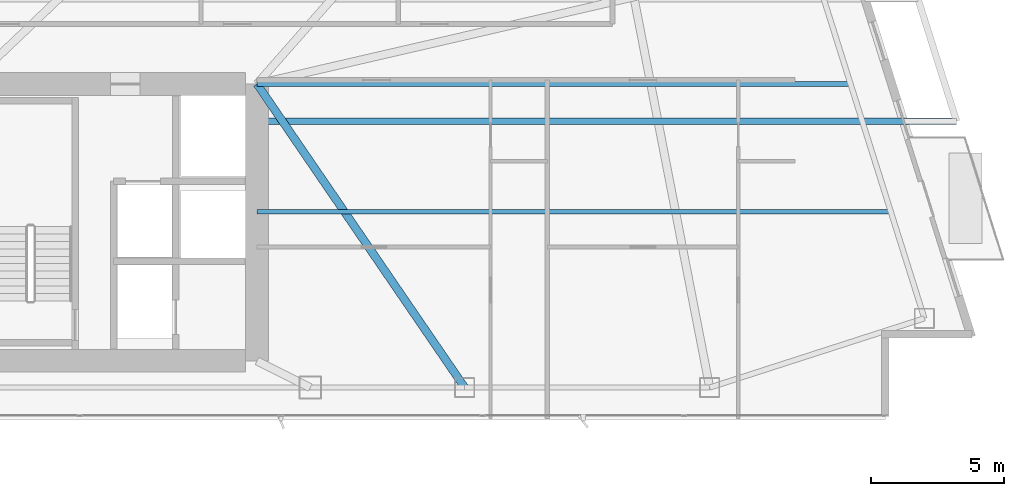
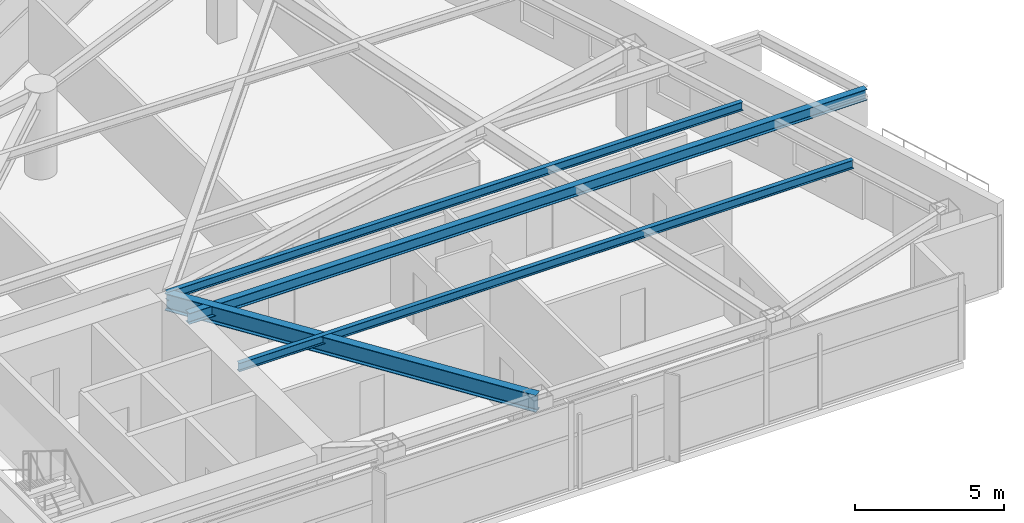
# One storey, part 13 of 28: 4 beams.
"""IFC4 building model written with IfcOpenShell, lengths in metres."""

from ifc_helpers import new_model, si_unit, direction, frame, origin, origin_2d, place, context, subcontext, project, spatial, i_section, extrude, material, material_profile, profile_set, type_object, element, save


model = new_model("IFC4")

# Units and contexts
model_context = context("Model", 3, precision=1e-05, world=origin(), true_north=direction((0.0, 1.0)))
body_context = subcontext(model_context, "Body", "Model", "MODEL_VIEW")
ifc_project = project(units=[si_unit("LENGTHUNIT", "METRE"), si_unit("AREAUNIT", "SQUARE_METRE"), si_unit("VOLUMEUNIT", "CUBIC_METRE"), si_unit("PLANEANGLEUNIT", "RADIAN"), si_unit("MASSUNIT", "GRAM", prefix="KILO")], contexts=[model_context])

# Site, building, storey
site_placement = place(None, origin())
site = spatial("IfcSite", under=ifc_project, at=site_placement, CompositionType="ELEMENT")
building_placement = place(site_placement, origin())
building = spatial("IfcBuilding", under=site, at=building_placement, Name="Calvorn Quay Hotel", CompositionType="ELEMENT")
storey_placement = place(building_placement, frame((0.0, 0.0, 101.199951171875)))
storey = spatial("IfcBuildingStorey", under=building, at=storey_placement, Name="L24", CompositionType="ELEMENT", Elevation=101.199951171875)

# Beams
ifc_material_1 = material(Name="Steel Q355B", Category="steel")
ifc_material_profile_1 = material_profile(ifc_material_1, i_section(OverallWidth=0.25, OverallDepth=0.449951171875, WebThickness=0.011962890625, FlangeThickness=0.01611328125, FilletRadius=0.01611328125, at=origin_2d()), Name="HN450x250x12x16")
ifc_profile_set_1 = profile_set([ifc_material_profile_1], Name="Steel Q355B")
beam_type_1 = type_object("IfcBeamType", Name="BM-CANT-BALC", PredefinedType="BEAM", material=ifc_profile_set_1)
beam_1_placement = place(storey_placement, frame((32.39990234375, 13.60009765625, 3.31494140625), z_axis=(1.0, 0.0, 0.0), x_axis=(0.0, 1.0, 0.0)))
element("IfcBeam", 1, at=beam_1_placement, inside=storey, type_object=beam_type_1, Name="Cantilever Balcony Beam BCB-L25-1A", PredefinedType="BEAM", context=body_context, shape_type="SweptSolid", body=[
    extrude(i_section(OverallWidth=0.25, OverallDepth=0.449951171875, WebThickness=0.011962890625, FlangeThickness=0.01611328125, FilletRadius=0.01611328125, at=origin_2d()), origin(), (0.0, 0.0, 1.0), 26.26904296875),
])
ifc_material_2 = material(Name="Steel Q390GJC", Category="steel")
ifc_material_profile_2 = material_profile(ifc_material_2, i_section(OverallWidth=0.300048828125, OverallDepth=0.699951171875, WebThickness=0.012939453125, FlangeThickness=0.02392578125, FilletRadius=0.02392578125, at=origin_2d()), Name="HN700x300x13x24")
ifc_profile_set_2 = profile_set([ifc_material_profile_2], Name="Steel Q390GJC")
beam_type_2 = type_object("IfcBeamType", Name="BM-GIRD-MAIN", PredefinedType="BEAM", material=ifc_profile_set_2)
beam_2_placement = place(storey_placement, frame((40.199951171875, 3.60009765625, 3.18994140625), z_axis=(-0.564689618177, 0.825303359452, 0.0), x_axis=(-0.825303359452, -0.564689618177, 0.0)))
element("IfcBeam", 2, at=beam_2_placement, inside=storey, type_object=beam_type_2, Name="Beam BG-L24-E6", PredefinedType="BEAM", context=body_context, shape_type="SweptSolid", body=[
    extrude(i_section(OverallWidth=0.300048828125, OverallDepth=0.699951171875, WebThickness=0.012939453125, FlangeThickness=0.02392578125, FilletRadius=0.02392578125, at=origin_2d()), origin(), (0.0, 0.0, 1.0), 13.81298828125),
])
ifc_material_3 = material(Name="Steel Q355B", Category="steel")
ifc_material_profile_3 = material_profile(ifc_material_3, i_section(OverallWidth=0.175048828125, OverallDepth=0.35009765625, WebThickness=0.007080078125, FlangeThickness=0.010986328125, FilletRadius=0.013916015625, at=origin_2d()), Name="HN350x175x7x11")
ifc_profile_set_3 = profile_set([ifc_material_profile_3], Name="Steel Q355B")
beam_type_3 = type_object("IfcBeamType", Name="BM-JOIST-SEC", PredefinedType="JOIST", material=ifc_profile_set_3)
beam_3_placement = place(storey_placement, frame((32.39990234375, 10.199951171875, 3.364990234375), z_axis=(1.0, 0.0, 0.0), x_axis=(0.0, 1.0, 0.0)))
element("IfcBeam", 3, at=beam_3_placement, inside=storey, type_object=beam_type_3, Name="Beam BJ-L24-E1", PredefinedType="JOIST", context=body_context, shape_type="SweptSolid", body=[
    extrude(i_section(OverallWidth=0.175048828125, OverallDepth=0.35009765625, WebThickness=0.007080078125, FlangeThickness=0.010986328125, FilletRadius=0.013916015625, at=origin_2d()), origin(), (0.0, 0.0, 1.0), 23.801025390625),
])
beam_4_placement = place(storey_placement, frame((32.39990234375, 15.0, 3.364990234375), z_axis=(1.0, 0.0, 0.0), x_axis=(0.0, 1.0, 0.0)))
element("IfcBeam", 4, at=beam_4_placement, inside=storey, type_object=beam_type_3, Name="Beam BJ-L24-E2", PredefinedType="JOIST", context=body_context, shape_type="SweptSolid", body=[
    extrude(i_section(OverallWidth=0.175048828125, OverallDepth=0.35009765625, WebThickness=0.007080078125, FlangeThickness=0.010986328125, FilletRadius=0.013916015625, at=origin_2d()), origin(), (0.0, 0.0, 1.0), 22.2880859375),
])

save(model, "model.ifc")
